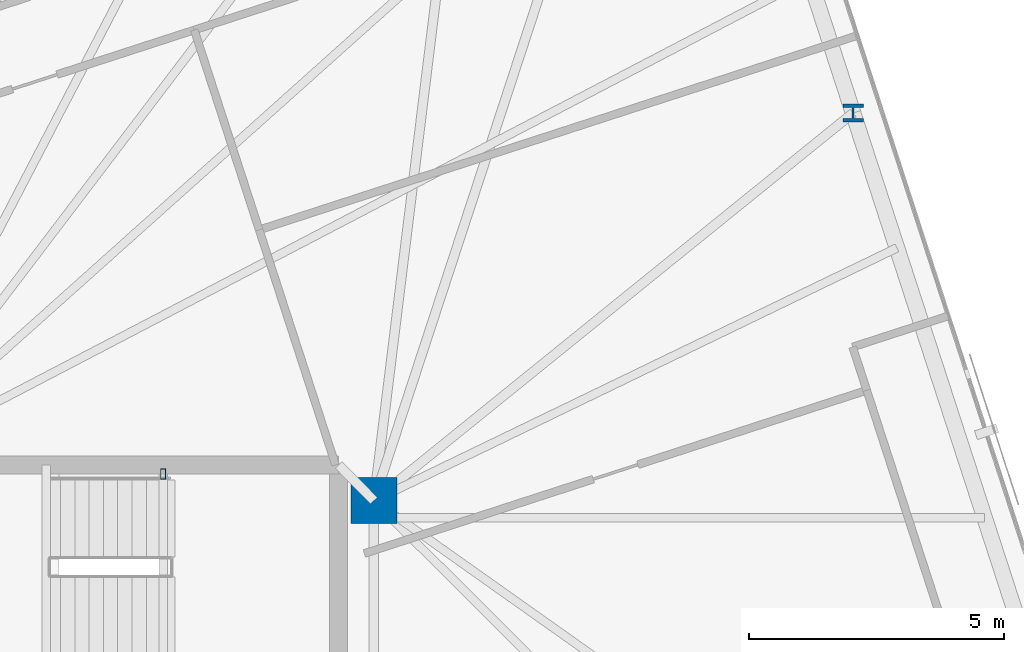
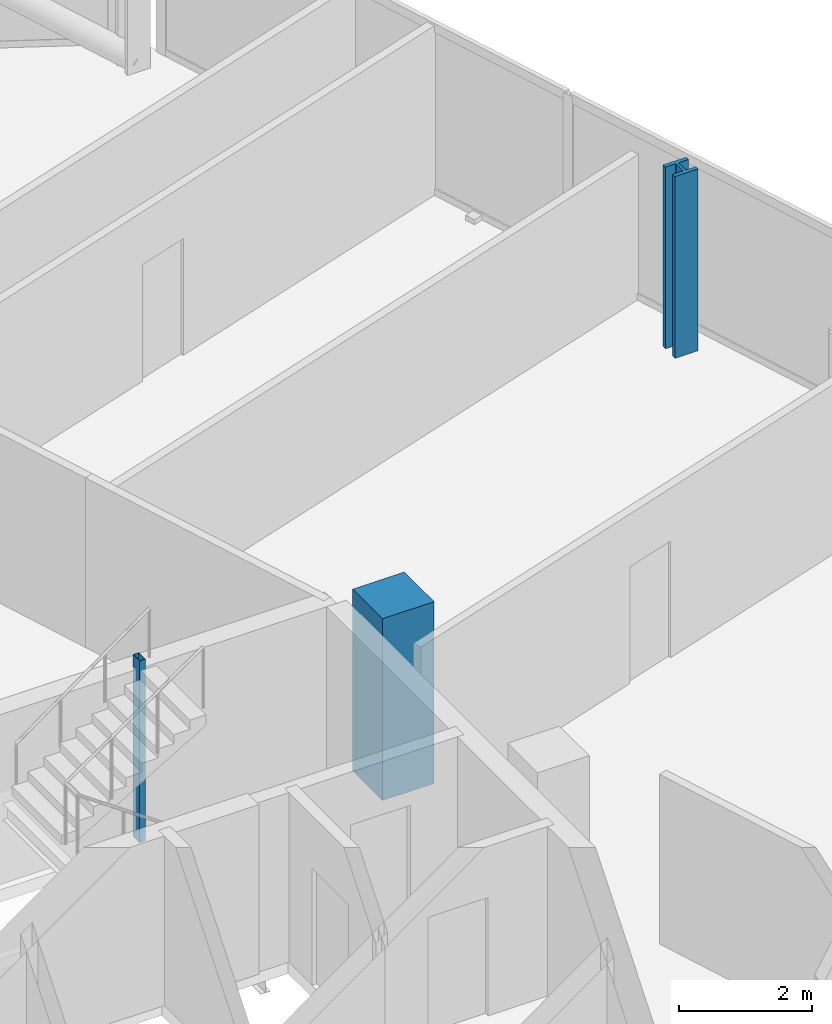
# One storey, part 3 of 19: 3 columns.
"""IFC4 building model written with IfcOpenShell, lengths in metres."""

from ifc_helpers import new_model, si_unit, direction, frame, origin, origin_2d, place, context, subcontext, project, spatial, rectangle, hollow_rectangle, i_section, extrude, material, material_profile, profile_set, type_object, element, save


model = new_model("IFC4")

# Units and contexts
model_context = context("Model", 3, precision=1e-05, world=origin(), true_north=direction((0.0, 1.0)))
body_context = subcontext(model_context, "Body", "Model", "MODEL_VIEW")
ifc_project = project(units=[si_unit("LENGTHUNIT", "METRE"), si_unit("AREAUNIT", "SQUARE_METRE"), si_unit("VOLUMEUNIT", "CUBIC_METRE"), si_unit("PLANEANGLEUNIT", "RADIAN"), si_unit("MASSUNIT", "GRAM", prefix="KILO")], contexts=[model_context])

# Site, building, storey
site_placement = place(None, origin())
site = spatial("IfcSite", under=ifc_project, at=site_placement, CompositionType="ELEMENT")
building_placement = place(site_placement, origin())
building = spatial("IfcBuilding", under=site, at=building_placement, Name="Menara Jurai Vektor", CompositionType="ELEMENT")
storey_placement = place(building_placement, frame((0.0, 0.0, 220.949951171875)))
storey = spatial("IfcBuildingStorey", under=building, at=storey_placement, Name="L58", CompositionType="ELEMENT", Elevation=220.949951171875)

# Columns
ifc_material_1 = material(Name="Concrete C50/60", Category="concrete")
ifc_material_profile_1 = material_profile(ifc_material_1, rectangle(XDim=0.89990234375, YDim=0.89990234375, at=origin_2d()), Name="RC 900x900")
ifc_profile_set_1 = profile_set([ifc_material_profile_1], Name="Concrete C50/60")
column_type_1 = type_object("IfcColumnType", Name="STR-COL-RC900", PredefinedType="COLUMN", material=ifc_profile_set_1)
column_1_placement = place(storey_placement, frame((15.25, 4.89990234375, 0.0), z_axis=(0.0, 0.0, 1.0), x_axis=(1.0, 0.0, 0.0)))
element("IfcColumn", 1, at=column_1_placement, inside=storey, type_object=column_type_1, Name="Core Spine Column CE-NE L58", PredefinedType="COLUMN", context=body_context, shape_type="SweptSolid", body=[
    extrude(rectangle(XDim=0.89990234375, YDim=0.89990234375, at=origin_2d()), origin(), (0.0, 0.0, 1.0), 3.35009765625),
])
ifc_material_2 = material(Name="Steel S355", Category="steel")
ifc_material_profile_2 = material_profile(ifc_material_2, hollow_rectangle(XDim=0.10009765625, YDim=0.199951171875, WallThickness=0.008056640625, at=origin_2d()), Name="RHS 200x100x8")
ifc_profile_set_2 = profile_set([ifc_material_profile_2], Name="Steel S355")
column_type_2 = type_object("IfcColumnType", Name="STR-COL-STAIR", PredefinedType="COLUMN", material=ifc_profile_set_2)
column_2_placement = place(storey_placement, frame((11.1201171875, 5.419921875, 0.0), z_axis=(0.0, 0.0, 1.0), x_axis=(1.0, 0.0, 0.0)))
element("IfcColumn", 2, at=column_2_placement, inside=storey, type_object=column_type_2, Name="Stair Well Header Column ST2-P2 L58", PredefinedType="COLUMN", context=body_context, shape_type="SweptSolid", body=[
    extrude(hollow_rectangle(XDim=0.10009765625, YDim=0.199951171875, WallThickness=0.008056640625, at=origin_2d()), origin(), (0.0, 0.0, 1.0), 3.35009765625),
])
ifc_material_3 = material(Name="Steel S460", Category="steel")
ifc_material_profile_3 = material_profile(ifc_material_3, i_section(OverallWidth=0.405029296875, OverallDepth=0.35498046875, WebThickness=0.0419921875, FlangeThickness=0.068115234375, FilletRadius=0.014892578125, at=origin_2d()), Name="HD 400x551")
ifc_profile_set_3 = profile_set([ifc_material_profile_3], Name="Steel S460")
column_type_3 = type_object("IfcColumnType", Name="STR-EXO-BLK4", PredefinedType="COLUMN", material=ifc_profile_set_3)
column_3_placement = place(storey_placement, frame((24.641845703125, 12.496826171875, 0.0), z_axis=(0.0, 0.0, 1.0), x_axis=(1.0, 0.0, 0.0)))
element("IfcColumn", 3, at=column_3_placement, inside=storey, type_object=column_type_3, Name="Exoskeleton Column BLK4-E3 L58", PredefinedType="COLUMN", context=body_context, shape_type="SweptSolid", body=[
    extrude(i_section(OverallWidth=0.405029296875, OverallDepth=0.35498046875, WebThickness=0.0419921875, FlangeThickness=0.068115234375, FilletRadius=0.014892578125, at=origin_2d()), origin(), (0.0, 0.0, 1.0), 3.35009765625),
])

save(model, "model.ifc")
